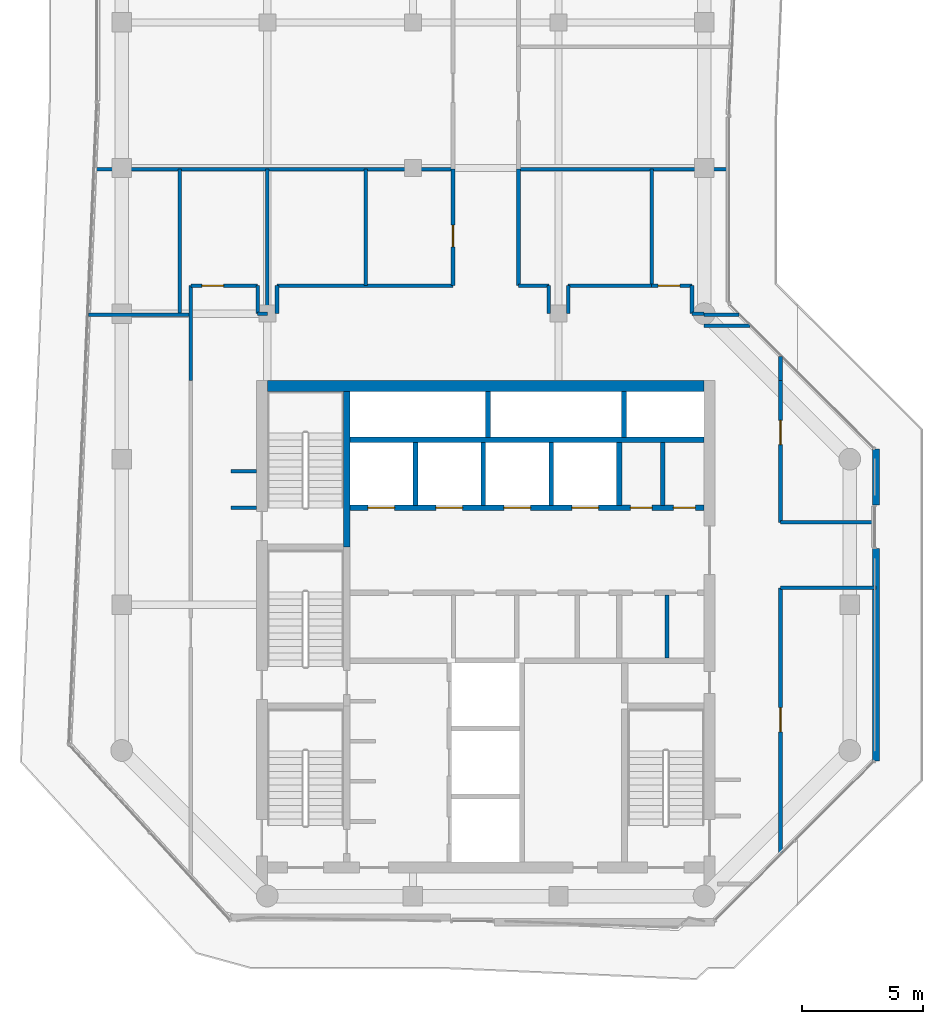
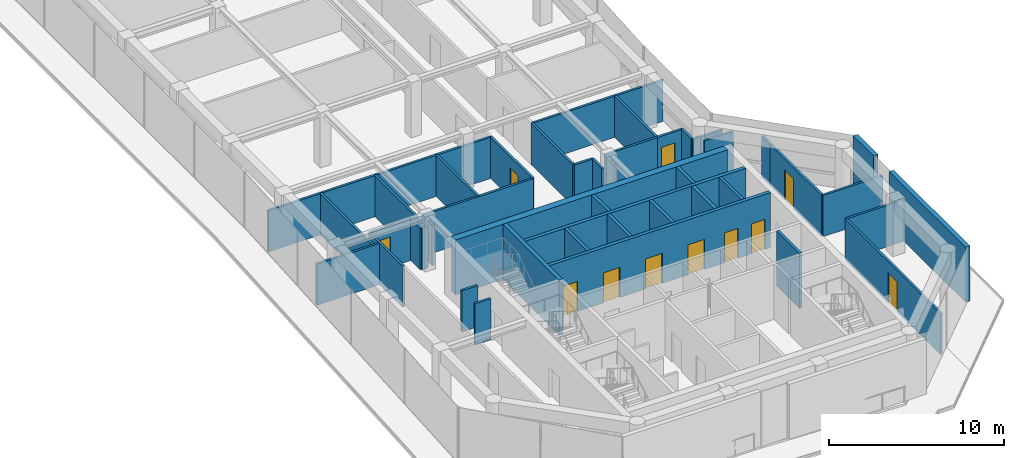
# One storey, part 17 of 20: 45 walls, 11 doors, 11 openings.
"""IFC4 building model written with IfcOpenShell, lengths in metres."""

from ifc_helpers import new_model, si_unit, direction, frame, frame_2d, origin, place, context, subcontext, project, spatial, rectangle, extrude, material, layer, layer_set, type_object, element, fill, save


model = new_model("IFC4")

# Units and contexts
model_context = context("Model", 3, precision=1e-05, world=origin(), true_north=direction((0.0, 1.0)))
body_context = subcontext(model_context, "Body", "Model", "MODEL_VIEW")
ifc_project = project(units=[si_unit("LENGTHUNIT", "METRE"), si_unit("AREAUNIT", "SQUARE_METRE"), si_unit("VOLUMEUNIT", "CUBIC_METRE"), si_unit("PLANEANGLEUNIT", "RADIAN"), si_unit("MASSUNIT", "GRAM", prefix="KILO")], contexts=[model_context])

# Site, building, storey
site_placement = place(None, origin())
site = spatial("IfcSite", under=ifc_project, at=site_placement, CompositionType="ELEMENT")
building_placement = place(site_placement, origin())
building = spatial("IfcBuilding", under=site, at=building_placement, Name="Welwitschia Terrace Campus", CompositionType="ELEMENT")
storey_placement = place(building_placement, frame((0.0, 0.0, 239.0)))
storey = spatial("IfcBuildingStorey", under=building, at=storey_placement, Name="L53", CompositionType="ELEMENT", Elevation=239.0)

# Walls
ifc_material_1 = material(Name="Concrete C32/40", Category="concrete")
ifc_layer_1 = layer(ifc_material_1, 0.175048828125)
ifc_layer_set_1 = layer_set([ifc_layer_1], Name="Concrete C32/40")
wall_type_1 = type_object("IfcWallType", Name="Core partition 175 Concrete C32/40", PredefinedType="PARTITIONING", material=ifc_layer_set_1)
for number, where, z_axis, x_axis, name in (
    (1, (22.300048828125, 20.10009765625, 0.0), (0.0, 0.0, 1.0), (0.0, 1.0, 0.0), "Core partition"),
    (2, (22.469970703125, 13.800048828125, 0.0), (0.0, 0.0, 1.0), (0.0, 1.0, 0.0), "Core partition"),
):
    element("IfcWall", number, at=place(storey_placement, frame(where, z_axis=z_axis, x_axis=x_axis)), inside=storey, type_object=wall_type_1, Name=name, PredefinedType="PARTITIONING", context=body_context, shape_type="SweptSolid", body=[
        extrude(rectangle(XDim=2.599853515625, YDim=0.175048828125, at=frame_2d((1.2998046875, 0.0))), origin(), (0.0, 0.0, 1.0), 3.85009765625),
    ])

# Wall, openings, doors
ifc_material_2 = material(Name="Concrete C32/40", Category="concrete")
ifc_layer_2 = layer(ifc_material_2, 0.22509765625)
ifc_layer_set_2 = layer_set([ifc_layer_2], Name="Concrete C32/40")
wall_type_2 = type_object("IfcWallType", Name="Core partition 225 Concrete C32/40", PredefinedType="PARTITIONING", material=ifc_layer_set_2)
wall_1_placement = place(storey_placement, frame((24.0, 20.0, 0.0), z_axis=(0.0, 0.0, 1.0), x_axis=(-1.0, 0.0, 0.0)))
wall_1 = element("IfcWall", 3, at=wall_1_placement, inside=storey, type_object=wall_type_2, Name="Shaft wall", PredefinedType="PARTITIONING", context=body_context, shape_type="SweptSolid", body=[
    extrude(rectangle(XDim=14.60009765625, YDim=0.22509765625, at=frame_2d((7.300048828125, 0.0))), origin(), (0.0, 0.0, 1.0), 3.85009765625),
])
opening_1_placement = place(wall_1_placement, frame((12.75, 0.0, 0.0)))
opening_1 = element("IfcOpeningElement", 4, at=opening_1_placement, cuts=wall_1, Name="Opening LD", PredefinedType="OPENING", context=body_context, shape_type="SweptSolid", body=[
    extrude(rectangle(XDim=1.10009765625, YDim=2.10009765625, at=frame_2d((0.550048828125, 1.050048828125))), frame((0.0, 0.12255859375, 0.0), z_axis=(0.0, -1.0, 0.0), x_axis=(1.0, 0.0, 0.0)), (0.0, 0.0, 1.0), 0.2451171875),
])
opening_2_placement = place(wall_1_placement, frame((9.949951171875, 0.0, 0.0)))
opening_2 = element("IfcOpeningElement", 5, at=opening_2_placement, cuts=wall_1, Name="Opening LD", PredefinedType="OPENING", context=body_context, shape_type="SweptSolid", body=[
    extrude(rectangle(XDim=1.10009765625, YDim=2.10009765625, at=frame_2d((0.550048828125, 1.050048828125))), frame((0.0, 0.12255859375, 0.0), z_axis=(0.0, -1.0, 0.0), x_axis=(1.0, 0.0, 0.0)), (0.0, 0.0, 1.0), 0.2451171875),
])
opening_3_placement = place(wall_1_placement, frame((7.14990234375, 0.0, 0.0)))
opening_3 = element("IfcOpeningElement", 6, at=opening_3_placement, cuts=wall_1, Name="Opening LD", PredefinedType="OPENING", context=body_context, shape_type="SweptSolid", body=[
    extrude(rectangle(XDim=1.10009765625, YDim=2.10009765625, at=frame_2d((0.550048828125, 1.050048828125))), frame((0.0, 0.12255859375, 0.0), z_axis=(0.0, -1.0, 0.0), x_axis=(1.0, 0.0, 0.0)), (0.0, 0.0, 1.0), 0.2451171875),
])
opening_4_placement = place(wall_1_placement, frame((4.35009765625, 0.0, 0.0)))
opening_4 = element("IfcOpeningElement", 7, at=opening_4_placement, cuts=wall_1, Name="Opening LD", PredefinedType="OPENING", context=body_context, shape_type="SweptSolid", body=[
    extrude(rectangle(XDim=1.10009765625, YDim=2.10009765625, at=frame_2d((0.550048828125, 1.050048828125))), frame((0.0, 0.12255859375, 0.0), z_axis=(0.0, -1.0, 0.0), x_axis=(1.0, 0.0, 0.0)), (0.0, 0.0, 1.0), 0.2451171875),
])
opening_5_placement = place(wall_1_placement, frame((2.137451171875, 0.0, 0.0)))
opening_5 = element("IfcOpeningElement", 8, at=opening_5_placement, cuts=wall_1, Name="Opening DR09", PredefinedType="OPENING", context=body_context, shape_type="SweptSolid", body=[
    extrude(rectangle(XDim=0.89990234375, YDim=2.10009765625, at=frame_2d((0.449951171875, 1.050048828125))), frame((0.0, 0.12255859375, 0.0), z_axis=(0.0, -1.0, 0.0), x_axis=(1.0, 0.0, 0.0)), (0.0, 0.0, 1.0), 0.2451171875),
])
opening_6_placement = place(wall_1_placement, frame((0.362548828125, 0.0, 0.0)))
opening_6 = element("IfcOpeningElement", 9, at=opening_6_placement, cuts=wall_1, Name="Opening DR09", PredefinedType="OPENING", context=body_context, shape_type="SweptSolid", body=[
    extrude(rectangle(XDim=0.89990234375, YDim=2.10009765625, at=frame_2d((0.449951171875, 1.050048828125))), frame((0.0, 0.12255859375, 0.0), z_axis=(0.0, -1.0, 0.0), x_axis=(1.0, 0.0, 0.0)), (0.0, 0.0, 1.0), 0.2451171875),
])
ifc_material_3 = material(Name="Steel S275", Category="steel")
door_type_1 = type_object("IfcDoorType", Name="Core door DR09", OperationType="SINGLE_SWING_LEFT", PredefinedType="DOOR", material=ifc_material_3)
door_1_placement = place(opening_5_placement, origin())
door_1 = element("IfcDoor", 10, at=door_1_placement, inside=storey, type_object=door_type_1, Name="Door EH1-D", OperationType="SINGLE_SWING_LEFT", OverallHeight=2.10009765625, OverallWidth=0.89990234375, PredefinedType="DOOR", context=body_context, shape_type="SweptSolid", body=[
    extrude(rectangle(XDim=0.89990234375, YDim=2.10009765625, at=frame_2d((0.449951171875, 1.050048828125))), frame((0.0, 0.02490234375, 0.0), z_axis=(0.0, -1.0, 0.0), x_axis=(1.0, 0.0, 0.0)), (0.0, 0.0, 1.0), 0.050048828125),
])
fill(opening_5, door_1)
door_2_placement = place(opening_6_placement, origin())
door_2 = element("IfcDoor", 11, at=door_2_placement, inside=storey, type_object=door_type_1, Name="Door EH2-D", OperationType="SINGLE_SWING_LEFT", OverallHeight=2.10009765625, OverallWidth=0.89990234375, PredefinedType="DOOR", context=body_context, shape_type="SweptSolid", body=[
    extrude(rectangle(XDim=0.89990234375, YDim=2.10009765625, at=frame_2d((0.449951171875, 1.050048828125))), frame((0.0, 0.02490234375, 0.0), z_axis=(0.0, -1.0, 0.0), x_axis=(1.0, 0.0, 0.0)), (0.0, 0.0, 1.0), 0.050048828125),
])
fill(opening_6, door_2)
ifc_material_4 = material(Name="Stainless steel 304", Category="steel")
door_type_2 = type_object("IfcDoorType", Name="Lift landing door", OperationType="DOUBLE_DOOR_SLIDING", PredefinedType="DOOR", material=ifc_material_4)
door_3_placement = place(opening_1_placement, origin())
door_3 = element("IfcDoor", 12, at=door_3_placement, inside=storey, type_object=door_type_2, Name="Landing door HR1", OperationType="DOUBLE_DOOR_SLIDING", OverallHeight=2.10009765625, OverallWidth=1.10009765625, PredefinedType="DOOR", context=body_context, shape_type="SweptSolid", body=[
    extrude(rectangle(XDim=1.10009765625, YDim=2.10009765625, at=frame_2d((0.550048828125, 1.050048828125))), frame((0.0, 0.02490234375, 0.0), z_axis=(0.0, -1.0, 0.0), x_axis=(1.0, 0.0, 0.0)), (0.0, 0.0, 1.0), 0.050048828125),
])
fill(opening_1, door_3)
door_4_placement = place(opening_2_placement, origin())
door_4 = element("IfcDoor", 13, at=door_4_placement, inside=storey, type_object=door_type_2, Name="Landing door HR2", OperationType="DOUBLE_DOOR_SLIDING", OverallHeight=2.10009765625, OverallWidth=1.10009765625, PredefinedType="DOOR", context=body_context, shape_type="SweptSolid", body=[
    extrude(rectangle(XDim=1.10009765625, YDim=2.10009765625, at=frame_2d((0.550048828125, 1.050048828125))), frame((0.0, 0.02490234375, 0.0), z_axis=(0.0, -1.0, 0.0), x_axis=(1.0, 0.0, 0.0)), (0.0, 0.0, 1.0), 0.050048828125),
])
fill(opening_2, door_4)
door_5_placement = place(opening_3_placement, origin())
door_5 = element("IfcDoor", 14, at=door_5_placement, inside=storey, type_object=door_type_2, Name="Landing door HR3", OperationType="DOUBLE_DOOR_SLIDING", OverallHeight=2.10009765625, OverallWidth=1.10009765625, PredefinedType="DOOR", context=body_context, shape_type="SweptSolid", body=[
    extrude(rectangle(XDim=1.10009765625, YDim=2.10009765625, at=frame_2d((0.550048828125, 1.050048828125))), frame((0.0, 0.02490234375, 0.0), z_axis=(0.0, -1.0, 0.0), x_axis=(1.0, 0.0, 0.0)), (0.0, 0.0, 1.0), 0.050048828125),
])
fill(opening_3, door_5)
door_6_placement = place(opening_4_placement, origin())
door_6 = element("IfcDoor", 15, at=door_6_placement, inside=storey, type_object=door_type_2, Name="Landing door HR4", OperationType="DOUBLE_DOOR_SLIDING", OverallHeight=2.10009765625, OverallWidth=1.10009765625, PredefinedType="DOOR", context=body_context, shape_type="SweptSolid", body=[
    extrude(rectangle(XDim=1.10009765625, YDim=2.10009765625, at=frame_2d((0.550048828125, 1.050048828125))), frame((0.0, 0.02490234375, 0.0), z_axis=(0.0, -1.0, 0.0), x_axis=(1.0, 0.0, 0.0)), (0.0, 0.0, 1.0), 0.050048828125),
])
fill(opening_4, door_6)

# Walls
wall_2_placement = place(storey_placement, frame((9.39990234375, 22.800048828125, 0.0), z_axis=(0.0, 0.0, 1.0), x_axis=(1.0, 0.0, 0.0)))
element("IfcWall", 16, at=wall_2_placement, inside=storey, type_object=wall_type_2, Name="Shaft wall", PredefinedType="PARTITIONING", context=body_context, shape_type="SweptSolid", body=[
    extrude(rectangle(XDim=14.60009765625, YDim=0.22509765625, at=frame_2d((7.300048828125, 0.0))), origin(), (0.0, 0.0, 1.0), 3.85009765625),
])
wall_3_placement = place(storey_placement, frame((20.5, 20.10009765625, 0.0), z_axis=(0.0, 0.0, 1.0), x_axis=(0.0, 1.0, 0.0)))
element("IfcWall", 17, at=wall_3_placement, inside=storey, type_object=wall_type_2, Name="Shaft wall", PredefinedType="PARTITIONING", context=body_context, shape_type="SweptSolid", body=[
    extrude(rectangle(XDim=2.599853515625, YDim=0.22509765625, at=frame_2d((1.2998046875, 0.0))), origin(), (0.0, 0.0, 1.0), 3.85009765625),
])
ifc_material_5 = material(Name="Concrete C50/60", Category="concrete")
ifc_layer_3 = layer(ifc_material_5, 0.199951171875)
ifc_layer_set_3 = layer_set([ifc_layer_3], Name="Concrete C50/60")
wall_type_3 = type_object("IfcWallType", Name="Core wall 200 Concrete C50/60", PredefinedType="SHEAR", material=ifc_layer_set_3)
for number, where, z_axis, x_axis, name in (
    (18, (15.10009765625, 22.89990234375, 0.0), (0.0, 0.0, 1.0), (0.0, 1.0, 0.0), "Core wall"),
    (19, (20.699951171875, 22.89990234375, 0.0), (0.0, 0.0, 1.0), (0.0, 1.0, 0.0), "Core wall"),
):
    element("IfcWall", number, at=place(storey_placement, frame(where, z_axis=z_axis, x_axis=x_axis)), inside=storey, type_object=wall_type_3, Name=name, PredefinedType="SHEAR", context=body_context, shape_type="SweptSolid", body=[
        extrude(rectangle(XDim=1.900146484375, YDim=0.199951171875, at=frame_2d((0.9501953125, 0.0))), origin(), (0.0, 0.0, 1.0), 3.85009765625),
    ])
ifc_material_6 = material(Name="Concrete C50/60", Category="concrete")
ifc_layer_4 = layer(ifc_material_6, 0.25)
ifc_layer_set_4 = layer_set([ifc_layer_4], Name="Concrete C50/60")
wall_type_4 = type_object("IfcWallType", Name="Core wall 250 Concrete C50/60", PredefinedType="SHEAR", material=ifc_layer_set_4)
wall_4_placement = place(storey_placement, frame((9.27490234375, 18.375, 0.0), z_axis=(0.0, 0.0, 1.0), x_axis=(0.0, 1.0, 0.0)))
element("IfcWall", 20, at=wall_4_placement, inside=storey, type_object=wall_type_4, Name="Core wall", PredefinedType="SHEAR", context=body_context, shape_type="SweptSolid", body=[
    extrude(rectangle(XDim=6.425048828125, YDim=0.25, at=frame_2d((3.21240234375, 0.0))), origin(), (0.0, 0.0, 1.0), 3.85009765625),
])
ifc_material_7 = material(Name="Concrete C60/75", Category="concrete")
ifc_layer_5 = layer(ifc_material_7, 0.449951171875)
ifc_layer_set_5 = layer_set([ifc_layer_5], Name="Concrete C60/75")
wall_type_5 = type_object("IfcWallType", Name="Core wall 450 Concrete C60/75", PredefinedType="SHEAR", material=ifc_layer_set_5)
wall_5_placement = place(storey_placement, frame((6.0, 25.02490234375, 0.0), z_axis=(0.0, 0.0, 1.0), x_axis=(1.0, 0.0, 0.0)))
element("IfcWall", 21, at=wall_5_placement, inside=storey, type_object=wall_type_5, Name="Core outer wall", PredefinedType="SHEAR", context=body_context, shape_type="SweptSolid", body=[
    extrude(rectangle(XDim=18.0, YDim=0.449951171875, at=frame_2d((9.0, 0.0))), origin(), (0.0, 0.0, 1.0), 3.85009765625),
])
ifc_material_8 = material(Name="Gypsum board on steel studs", Category="steel")
ifc_layer_6 = layer(ifc_material_8, 0.14990234375)
ifc_layer_set_6 = layer_set([ifc_layer_6], Name="Gypsum board on steel studs")
wall_type_6 = type_object("IfcWallType", Name="Corridor partition 150 EI 30", PredefinedType="PARTITIONING", material=ifc_layer_set_6)
wall_6_placement = place(storey_placement, frame((-1.360107421875, 27.949951171875, 0.0), z_axis=(0.0, 0.0, 1.0), x_axis=(1.0, 0.0, 0.0)))
element("IfcWall", 22, at=wall_6_placement, inside=storey, type_object=wall_type_6, Name="Partition", PredefinedType="PARTITIONING", context=body_context, shape_type="SweptSolid", body=[
    extrude(rectangle(XDim=4.210205078125, YDim=0.14990234375, at=frame_2d((2.10498046875, 0.0))), origin(), (0.0, 0.0, 1.0), 2.8798828125),
])
wall_7_placement = place(storey_placement, frame((-1.10009765625, 33.949951171875, 0.0), z_axis=(0.0, 0.0, 1.0), x_axis=(1.0, 0.0, 0.0)))
element("IfcWall", 23, at=wall_7_placement, inside=storey, type_object=wall_type_6, Name="Partition", PredefinedType="PARTITIONING", context=body_context, shape_type="SweptSolid", body=[
    extrude(rectangle(XDim=14.75, YDim=0.14990234375, at=frame_2d((7.375, 0.0))), origin(), (0.0, 0.0, 1.0), 2.8798828125),
])
wall_8_placement = place(storey_placement, frame((2.39990234375, 27.949951171875, 0.0), z_axis=(0.0, 0.0, 1.0), x_axis=(0.0, 1.0, 0.0)))
element("IfcWall", 24, at=wall_8_placement, inside=storey, type_object=wall_type_6, Name="Partition", PredefinedType="PARTITIONING", context=body_context, shape_type="SweptSolid", body=[
    extrude(rectangle(XDim=6.0, YDim=0.14990234375, at=frame_2d((3.0, 0.0))), origin(), (0.0, 0.0, 1.0), 2.8798828125),
])
wall_9_placement = place(storey_placement, frame((2.85009765625, 25.25, 0.0), z_axis=(0.0, 0.0, 1.0), x_axis=(0.0, 1.0, 0.0)))
element("IfcWall", 25, at=wall_9_placement, inside=storey, type_object=wall_type_6, Name="Partition", PredefinedType="PARTITIONING", context=body_context, shape_type="SweptSolid", body=[
    extrude(rectangle(XDim=3.89990234375, YDim=0.14990234375, at=frame_2d((1.949951171875, 0.0))), origin(), (0.0, 0.0, 1.0), 2.8798828125),
])

# Wall, opening, door
wall_10_placement = place(storey_placement, frame((2.85009765625, 29.14990234375, 0.0), z_axis=(0.0, 0.0, 1.0), x_axis=(1.0, 0.0, 0.0)))
wall_10 = element("IfcWall", 26, at=wall_10_placement, inside=storey, type_object=wall_type_6, Name="Partition", PredefinedType="PARTITIONING", context=body_context, shape_type="SweptSolid", body=[
    extrude(rectangle(XDim=2.75, YDim=0.14990234375, at=frame_2d((1.375, 0.0))), origin(), (0.0, 0.0, 1.0), 2.8798828125),
])
opening_7_placement = place(wall_10_placement, frame((0.449951171875, 0.0, 0.0)))
opening_7 = element("IfcOpeningElement", 27, at=opening_7_placement, cuts=wall_10, Name="Opening DI09", PredefinedType="OPENING", context=body_context, shape_type="SweptSolid", body=[
    extrude(rectangle(XDim=0.89990234375, YDim=2.10009765625, at=frame_2d((0.449951171875, 1.050048828125))), frame((0.0, 0.0849609375, 0.0), z_axis=(0.0, -1.0, 0.0), x_axis=(1.0, 0.0, 0.0)), (0.0, 0.0, 1.0), 0.169921875),
])
ifc_material_9 = material(Name="Timber veneered door", Category="wood")
door_type_3 = type_object("IfcDoorType", Name="Interior door DI09", OperationType="NOTDEFINED", PredefinedType="DOOR", material=ifc_material_9)
door_7_placement = place(opening_7_placement, origin())
door_7 = element("IfcDoor", 28, at=door_7_placement, inside=storey, type_object=door_type_3, Name="Door L53 975", OperationType="SINGLE_SWING_RIGHT", OverallHeight=2.10009765625, OverallWidth=0.89990234375, PredefinedType="DOOR", context=body_context, shape_type="SweptSolid", body=[
    extrude(rectangle(XDim=0.89990234375, YDim=2.10009765625, at=frame_2d((0.449951171875, 1.050048828125))), frame((0.0, 0.02490234375, 0.0), z_axis=(0.0, -1.0, 0.0), x_axis=(1.0, 0.0, 0.0)), (0.0, 0.0, 1.0), 0.050048828125),
])
fill(opening_7, door_7)

# Walls
for number, where, z_axis, x_axis, name in (
    (29, (4.5, 20.0, 0.0), (0.0, 0.0, 1.0), (1.0, 0.0, 0.0), "Partition"),
    (30, (4.5, 21.5, 0.0), (0.0, 0.0, 1.0), (1.0, 0.0, 0.0), "Partition"),
):
    element("IfcWall", number, at=place(storey_placement, frame(where, z_axis=z_axis, x_axis=x_axis)), inside=storey, type_object=wall_type_6, Name=name, PredefinedType="PARTITIONING", context=body_context, shape_type="SweptSolid", body=[
        extrude(rectangle(XDim=1.050048828125, YDim=0.14990234375, at=frame_2d((0.52490234375, 0.0))), origin(), (0.0, 0.0, 1.0), 2.8798828125),
    ])
wall_11_placement = place(storey_placement, frame((5.60009765625, 28.0, 0.0), z_axis=(0.0, 0.0, 1.0), x_axis=(0.0, 1.0, 0.0)))
element("IfcWall", 31, at=wall_11_placement, inside=storey, type_object=wall_type_6, Name="Partition", PredefinedType="PARTITIONING", context=body_context, shape_type="SweptSolid", body=[
    extrude(rectangle(XDim=1.14990234375, YDim=0.14990234375, at=frame_2d((0.574951171875, 0.0))), origin(), (0.0, 0.0, 1.0), 2.8798828125),
])
wall_12_placement = place(storey_placement, frame((5.60009765625, 28.0, 0.0), z_axis=(0.0, 0.0, 1.0), x_axis=(1.0, 0.0, 0.0)))
element("IfcWall", 32, at=wall_12_placement, inside=storey, type_object=wall_type_6, Name="Partition", PredefinedType="PARTITIONING", context=body_context, shape_type="SweptSolid", body=[
    extrude(rectangle(XDim=0.39990234375, YDim=0.14990234375, at=frame_2d((0.199951171875, 0.0))), origin(), (0.0, 0.0, 1.0), 2.8798828125),
])
wall_13_placement = place(storey_placement, frame((6.0, 28.0, 0.0), z_axis=(0.0, 0.0, 1.0), x_axis=(0.0, 1.0, 0.0)))
element("IfcWall", 33, at=wall_13_placement, inside=storey, type_object=wall_type_6, Name="Partition", PredefinedType="PARTITIONING", context=body_context, shape_type="SweptSolid", body=[
    extrude(rectangle(XDim=5.949951171875, YDim=0.14990234375, at=frame_2d((2.97509765625, 0.0))), origin(), (0.0, 0.0, 1.0), 2.8798828125),
])
wall_14_placement = place(storey_placement, frame((6.39990234375, 28.0, 0.0), z_axis=(0.0, 0.0, 1.0), x_axis=(0.0, 1.0, 0.0)))
element("IfcWall", 34, at=wall_14_placement, inside=storey, type_object=wall_type_6, Name="Partition", PredefinedType="PARTITIONING", context=body_context, shape_type="SweptSolid", body=[
    extrude(rectangle(XDim=1.14990234375, YDim=0.14990234375, at=frame_2d((0.574951171875, 0.0))), origin(), (0.0, 0.0, 1.0), 2.8798828125),
])
wall_15_placement = place(storey_placement, frame((6.39990234375, 29.14990234375, 0.0), z_axis=(0.0, 0.0, 1.0), x_axis=(1.0, 0.0, 0.0)))
element("IfcWall", 35, at=wall_15_placement, inside=storey, type_object=wall_type_6, Name="Partition", PredefinedType="PARTITIONING", context=body_context, shape_type="SweptSolid", body=[
    extrude(rectangle(XDim=7.25, YDim=0.14990234375, at=frame_2d((3.625, 0.0))), origin(), (0.0, 0.0, 1.0), 2.8798828125),
])
wall_16_placement = place(storey_placement, frame((10.050048828125, 29.14990234375, 0.0), z_axis=(0.0, 0.0, 1.0), x_axis=(0.0, 1.0, 0.0)))
element("IfcWall", 36, at=wall_16_placement, inside=storey, type_object=wall_type_6, Name="Partition", PredefinedType="PARTITIONING", context=body_context, shape_type="SweptSolid", body=[
    extrude(rectangle(XDim=4.800048828125, YDim=0.14990234375, at=frame_2d((2.39990234375, 0.0))), origin(), (0.0, 0.0, 1.0), 2.8798828125),
])

# Wall, opening, door
wall_17_placement = place(storey_placement, frame((13.64990234375, 29.14990234375, 0.0), z_axis=(0.0, 0.0, 1.0), x_axis=(0.0, 1.0, 0.0)))
wall_17 = element("IfcWall", 37, at=wall_17_placement, inside=storey, type_object=wall_type_6, Name="Partition", PredefinedType="PARTITIONING", context=body_context, shape_type="SweptSolid", body=[
    extrude(rectangle(XDim=4.800048828125, YDim=0.14990234375, at=frame_2d((2.39990234375, 0.0))), origin(), (0.0, 0.0, 1.0), 2.8798828125),
])
opening_8_placement = place(wall_17_placement, frame((1.60009765625, 0.0, 0.0)))
opening_8 = element("IfcOpeningElement", 38, at=opening_8_placement, cuts=wall_17, Name="Opening DI09", PredefinedType="OPENING", context=body_context, shape_type="SweptSolid", body=[
    extrude(rectangle(XDim=0.89990234375, YDim=2.10009765625, at=frame_2d((0.449951171875, 1.050048828125))), frame((0.0, 0.0849609375, 0.0), z_axis=(0.0, -1.0, 0.0), x_axis=(1.0, 0.0, 0.0)), (0.0, 0.0, 1.0), 0.169921875),
])
door_8_placement = place(opening_8_placement, origin())
door_8 = element("IfcDoor", 39, at=door_8_placement, inside=storey, type_object=door_type_3, Name="Door L53 976", OperationType="SINGLE_SWING_LEFT", OverallHeight=2.10009765625, OverallWidth=0.89990234375, PredefinedType="DOOR", context=body_context, shape_type="SweptSolid", body=[
    extrude(rectangle(XDim=0.89990234375, YDim=2.10009765625, at=frame_2d((0.449951171875, 1.050048828125))), frame((0.0, 0.02490234375, 0.0), z_axis=(0.0, -1.0, 0.0), x_axis=(1.0, 0.0, 0.0)), (0.0, 0.0, 1.0), 0.050048828125),
])
fill(opening_8, door_8)

# Walls
wall_18_placement = place(storey_placement, frame((16.35009765625, 29.14990234375, 0.0), z_axis=(0.0, 0.0, 1.0), x_axis=(0.0, 1.0, 0.0)))
element("IfcWall", 40, at=wall_18_placement, inside=storey, type_object=wall_type_6, Name="Partition", PredefinedType="PARTITIONING", context=body_context, shape_type="SweptSolid", body=[
    extrude(rectangle(XDim=4.800048828125, YDim=0.14990234375, at=frame_2d((2.39990234375, 0.0))), origin(), (0.0, 0.0, 1.0), 2.8798828125),
])
wall_19_placement = place(storey_placement, frame((16.35009765625, 29.14990234375, 0.0), z_axis=(0.0, 0.0, 1.0), x_axis=(1.0, 0.0, 0.0)))
element("IfcWall", 41, at=wall_19_placement, inside=storey, type_object=wall_type_6, Name="Partition", PredefinedType="PARTITIONING", context=body_context, shape_type="SweptSolid", body=[
    extrude(rectangle(XDim=1.25, YDim=0.14990234375, at=frame_2d((0.625, 0.0))), origin(), (0.0, 0.0, 1.0), 2.8798828125),
])
wall_20_placement = place(storey_placement, frame((16.35009765625, 33.949951171875, 0.0), z_axis=(0.0, 0.0, 1.0), x_axis=(1.0, 0.0, 0.0)))
element("IfcWall", 42, at=wall_20_placement, inside=storey, type_object=wall_type_6, Name="Partition", PredefinedType="PARTITIONING", context=body_context, shape_type="SweptSolid", body=[
    extrude(rectangle(XDim=8.6298828125, YDim=0.14990234375, at=frame_2d((4.31494140625, 0.0))), origin(), (0.0, 0.0, 1.0), 2.8798828125),
])
for number, where, z_axis, x_axis, name in (
    (43, (17.60009765625, 28.0, 0.0), (0.0, 0.0, 1.0), (0.0, 1.0, 0.0), "Partition"),
    (44, (18.39990234375, 28.0, 0.0), (0.0, 0.0, 1.0), (0.0, 1.0, 0.0), "Partition"),
):
    element("IfcWall", number, at=place(storey_placement, frame(where, z_axis=z_axis, x_axis=x_axis)), inside=storey, type_object=wall_type_6, Name=name, PredefinedType="PARTITIONING", context=body_context, shape_type="SweptSolid", body=[
        extrude(rectangle(XDim=1.14990234375, YDim=0.14990234375, at=frame_2d((0.574951171875, 0.0))), origin(), (0.0, 0.0, 1.0), 2.8798828125),
    ])
wall_21_placement = place(storey_placement, frame((18.39990234375, 29.14990234375, 0.0), z_axis=(0.0, 0.0, 1.0), x_axis=(1.0, 0.0, 0.0)))
element("IfcWall", 45, at=wall_21_placement, inside=storey, type_object=wall_type_6, Name="Partition", PredefinedType="PARTITIONING", context=body_context, shape_type="SweptSolid", body=[
    extrude(rectangle(XDim=3.440185546875, YDim=0.14990234375, at=frame_2d((1.72021484375, 0.0))), origin(), (0.0, 0.0, 1.0), 2.8798828125),
])
wall_22_placement = place(storey_placement, frame((21.840087890625, 29.14990234375, 0.0), z_axis=(0.0, 0.0, 1.0), x_axis=(0.0, 1.0, 0.0)))
element("IfcWall", 46, at=wall_22_placement, inside=storey, type_object=wall_type_6, Name="Partition", PredefinedType="PARTITIONING", context=body_context, shape_type="SweptSolid", body=[
    extrude(rectangle(XDim=4.800048828125, YDim=0.14990234375, at=frame_2d((2.39990234375, 0.0))), origin(), (0.0, 0.0, 1.0), 2.8798828125),
])

# Wall, opening, door
wall_23_placement = place(storey_placement, frame((21.840087890625, 29.14990234375, 0.0), z_axis=(0.0, 0.0, 1.0), x_axis=(1.0, 0.0, 0.0)))
wall_23 = element("IfcWall", 47, at=wall_23_placement, inside=storey, type_object=wall_type_6, Name="Partition", PredefinedType="PARTITIONING", context=body_context, shape_type="SweptSolid", body=[
    extrude(rectangle(XDim=1.659912109375, YDim=0.14990234375, at=frame_2d((0.830078125, 0.0))), origin(), (0.0, 0.0, 1.0), 2.8798828125),
])
opening_9_placement = place(wall_23_placement, frame((0.260009765625, 0.0, 0.0)))
opening_9 = element("IfcOpeningElement", 48, at=opening_9_placement, cuts=wall_23, Name="Opening DI09", PredefinedType="OPENING", context=body_context, shape_type="SweptSolid", body=[
    extrude(rectangle(XDim=0.89990234375, YDim=2.10009765625, at=frame_2d((0.449951171875, 1.050048828125))), frame((0.0, 0.0849609375, 0.0), z_axis=(0.0, -1.0, 0.0), x_axis=(1.0, 0.0, 0.0)), (0.0, 0.0, 1.0), 0.169921875),
])
door_9_placement = place(opening_9_placement, origin())
door_9 = element("IfcDoor", 49, at=door_9_placement, inside=storey, type_object=door_type_3, Name="Door L53 984", OperationType="SINGLE_SWING_LEFT", OverallHeight=2.10009765625, OverallWidth=0.89990234375, PredefinedType="DOOR", context=body_context, shape_type="SweptSolid", body=[
    extrude(rectangle(XDim=0.89990234375, YDim=2.10009765625, at=frame_2d((0.449951171875, 1.050048828125))), frame((0.0, 0.02490234375, 0.0), z_axis=(0.0, -1.0, 0.0), x_axis=(1.0, 0.0, 0.0)), (0.0, 0.0, 1.0), 0.050048828125),
])
fill(opening_9, door_9)

# Walls
wall_24_placement = place(storey_placement, frame((23.5, 28.0, 0.0), z_axis=(0.0, 0.0, 1.0), x_axis=(0.0, 1.0, 0.0)))
element("IfcWall", 50, at=wall_24_placement, inside=storey, type_object=wall_type_6, Name="Partition", PredefinedType="PARTITIONING", context=body_context, shape_type="SweptSolid", body=[
    extrude(rectangle(XDim=1.14990234375, YDim=0.14990234375, at=frame_2d((0.574951171875, 0.0))), origin(), (0.0, 0.0, 1.0), 2.8798828125),
])
wall_25_placement = place(storey_placement, frame((23.5, 28.0, 0.0), z_axis=(0.0, 0.0, 1.0), x_axis=(1.0, 0.0, 0.0)))
element("IfcWall", 51, at=wall_25_placement, inside=storey, type_object=wall_type_6, Name="Partition", PredefinedType="PARTITIONING", context=body_context, shape_type="SweptSolid", body=[
    extrude(rectangle(XDim=0.5, YDim=0.14990234375, at=frame_2d((0.25, 0.0))), origin(), (0.0, 0.0, 1.0), 2.8798828125),
])
wall_26_placement = place(storey_placement, frame((24.0, 27.5, 0.0), z_axis=(0.0, 0.0, 1.0), x_axis=(1.0, 0.0, 0.0)))
element("IfcWall", 52, at=wall_26_placement, inside=storey, type_object=wall_type_6, Name="Partition", PredefinedType="PARTITIONING", context=body_context, shape_type="SweptSolid", body=[
    extrude(rectangle(XDim=1.889892578125, YDim=0.14990234375, at=frame_2d((0.94482421875, 0.0))), origin(), (0.0, 0.0, 1.0), 2.8798828125),
])
wall_27_placement = place(storey_placement, frame((24.0, 27.949951171875, 0.0), z_axis=(0.0, 0.0, 1.0), x_axis=(1.0, 0.0, 0.0)))
element("IfcWall", 53, at=wall_27_placement, inside=storey, type_object=wall_type_6, Name="Partition", PredefinedType="PARTITIONING", context=body_context, shape_type="SweptSolid", body=[
    extrude(rectangle(XDim=1.43994140625, YDim=0.14990234375, at=frame_2d((0.719970703125, 0.0))), origin(), (0.0, 0.0, 1.0), 2.8798828125),
])

# Wall, opening, door
wall_28_placement = place(storey_placement, frame((27.14990234375, 16.699951171875, 0.0), z_axis=(0.0, 0.0, 1.0), x_axis=(0.0, -1.0, 0.0)))
wall_28 = element("IfcWall", 54, at=wall_28_placement, inside=storey, type_object=wall_type_6, Name="Partition", PredefinedType="PARTITIONING", context=body_context, shape_type="SweptSolid", body=[
    extrude(rectangle(XDim=10.929931640625, YDim=0.14990234375, at=frame_2d((5.46484375, 0.0))), origin(), (0.0, 0.0, 1.0), 2.8798828125),
])
opening_10_placement = place(wall_28_placement, frame((4.929931640625, 0.0, 0.0)))
opening_10 = element("IfcOpeningElement", 55, at=opening_10_placement, cuts=wall_28, Name="Opening DI10", PredefinedType="OPENING", context=body_context, shape_type="SweptSolid", body=[
    extrude(rectangle(XDim=1.0, YDim=2.10009765625, at=frame_2d((0.5, 1.050048828125))), frame((0.0, 0.0849609375, 0.0), z_axis=(0.0, -1.0, 0.0), x_axis=(1.0, 0.0, 0.0)), (0.0, 0.0, 1.0), 0.169921875),
])
ifc_material_10 = material(Name="Timber veneered door", Category="wood")
door_type_4 = type_object("IfcDoorType", Name="Interior door DI10", OperationType="NOTDEFINED", PredefinedType="DOOR", material=ifc_material_10)
door_10_placement = place(opening_10_placement, origin())
door_10 = element("IfcDoor", 56, at=door_10_placement, inside=storey, type_object=door_type_4, Name="Door L53 985", OperationType="SINGLE_SWING_RIGHT", OverallHeight=2.10009765625, OverallWidth=1.0, PredefinedType="DOOR", context=body_context, shape_type="SweptSolid", body=[
    extrude(rectangle(XDim=1.0, YDim=2.10009765625, at=frame_2d((0.5, 1.050048828125))), frame((0.0, 0.02490234375, 0.0), z_axis=(0.0, -1.0, 0.0), x_axis=(1.0, 0.0, 0.0)), (0.0, 0.0, 1.0), 0.050048828125),
])
fill(opening_10, door_10)

# Walls
for number, where, z_axis, x_axis, name in (
    (57, (27.14990234375, 16.699951171875, 0.0), (0.0, 0.0, 1.0), (1.0, 0.0, 0.0), "Partition"),
    (58, (27.14990234375, 19.39990234375, 0.0), (0.0, 0.0, 1.0), (1.0, 0.0, 0.0), "Partition"),
):
    element("IfcWall", number, at=place(storey_placement, frame(where, z_axis=z_axis, x_axis=x_axis)), inside=storey, type_object=wall_type_6, Name=name, PredefinedType="PARTITIONING", context=body_context, shape_type="SweptSolid", body=[
        extrude(rectangle(XDim=3.940185546875, YDim=0.14990234375, at=frame_2d((1.97021484375, 0.0))), origin(), (0.0, 0.0, 1.0), 2.8798828125),
    ])

# Wall, opening, door
wall_29_placement = place(storey_placement, frame((27.14990234375, 25.25, 0.0), z_axis=(0.0, 0.0, 1.0), x_axis=(0.0, -1.0, 0.0)))
wall_29 = element("IfcWall", 59, at=wall_29_placement, inside=storey, type_object=wall_type_6, Name="Partition", PredefinedType="PARTITIONING", context=body_context, shape_type="SweptSolid", body=[
    extrude(rectangle(XDim=5.85009765625, YDim=0.14990234375, at=frame_2d((2.925048828125, 0.0))), origin(), (0.0, 0.0, 1.0), 2.8798828125),
])
opening_11_placement = place(wall_29_placement, frame((1.64990234375, 0.0, 0.0)))
opening_11 = element("IfcOpeningElement", 60, at=opening_11_placement, cuts=wall_29, Name="Opening DI10", PredefinedType="OPENING", context=body_context, shape_type="SweptSolid", body=[
    extrude(rectangle(XDim=1.0, YDim=2.10009765625, at=frame_2d((0.5, 1.050048828125))), frame((0.0, 0.0849609375, 0.0), z_axis=(0.0, -1.0, 0.0), x_axis=(1.0, 0.0, 0.0)), (0.0, 0.0, 1.0), 0.169921875),
])
door_11_placement = place(opening_11_placement, origin())
door_11 = element("IfcDoor", 61, at=door_11_placement, inside=storey, type_object=door_type_4, Name="Door L53 986", OperationType="SINGLE_SWING_LEFT", OverallHeight=2.10009765625, OverallWidth=1.0, PredefinedType="DOOR", context=body_context, shape_type="SweptSolid", body=[
    extrude(rectangle(XDim=1.0, YDim=2.10009765625, at=frame_2d((0.5, 1.050048828125))), frame((0.0, 0.02490234375, 0.0), z_axis=(0.0, -1.0, 0.0), x_axis=(1.0, 0.0, 0.0)), (0.0, 0.0, 1.0), 0.050048828125),
])
fill(opening_11, door_11)

# Walls
wall_30_placement = place(storey_placement, frame((27.14990234375, 25.25, 0.0), z_axis=(0.0, 0.0, 1.0), x_axis=(0.0, 1.0, 0.0)))
element("IfcWall", 62, at=wall_30_placement, inside=storey, type_object=wall_type_6, Name="Partition", PredefinedType="PARTITIONING", context=body_context, shape_type="SweptSolid", body=[
    extrude(rectangle(XDim=0.97998046875, YDim=0.14990234375, at=frame_2d((0.489990234375, 0.0))), origin(), (0.0, 0.0, 1.0), 2.8798828125),
])
ifc_material_11 = material(Name="Concrete C40/50", Category="concrete")
ifc_layer_7 = layer(ifc_material_11, 0.300048828125)
ifc_layer_set_7 = layer_set([ifc_layer_7], Name="Concrete C40/50")
wall_type_7 = type_object("IfcWallType", Name="Mass wall 300", PredefinedType="SOLIDWALL", material=ifc_layer_set_7)
wall_31_placement = place(storey_placement, frame((31.07958984375, 9.573486328125, 0.0), z_axis=(0.0, 0.0, 1.0), x_axis=(0.0, 1.0, 0.0)))
element("IfcWall", 63, at=wall_31_placement, inside=storey, type_object=wall_type_7, Name="Mass wall L53.4.0", PredefinedType="SOLIDWALL", context=body_context, shape_type="SweptSolid", body=[
    extrude(rectangle(XDim=8.73974609375, YDim=0.300048828125, at=frame_2d((4.369873046875, 0.0))), origin(), (0.0, 0.0, 1.0), 3.85009765625),
])
wall_32_placement = place(storey_placement, frame((31.07958984375, 20.11328125, 0.0), z_axis=(0.0, 0.0, 1.0), x_axis=(0.0, 1.0, 0.0)))
element("IfcWall", 64, at=wall_32_placement, inside=storey, type_object=wall_type_7, Name="Mass wall L53.4.1", PredefinedType="SOLIDWALL", context=body_context, shape_type="SweptSolid", body=[
    extrude(rectangle(XDim=2.313232421875, YDim=0.300048828125, at=frame_2d((1.15673828125, 0.0))), origin(), (0.0, 0.0, 1.0), 3.85009765625),
])
ifc_material_12 = material(Name="Concrete C32/40", Category="concrete")
ifc_layer_8 = layer(ifc_material_12, 0.199951171875)
ifc_layer_set_8 = layer_set([ifc_layer_8], Name="Concrete C32/40")
wall_type_8 = type_object("IfcWallType", Name="Shaft wall 200 Concrete C32/40", PredefinedType="SOLIDWALL", material=ifc_layer_set_8)
for number, where, z_axis, x_axis, name in (
    (65, (12.10009765625, 20.10009765625, 0.0), (0.0, 0.0, 1.0), (0.0, 1.0, 0.0), "Shaft wall"),
    (66, (14.89990234375, 20.10009765625, 0.0), (0.0, 0.0, 1.0), (0.0, 1.0, 0.0), "Shaft wall"),
    (67, (17.699951171875, 20.10009765625, 0.0), (0.0, 0.0, 1.0), (0.0, 1.0, 0.0), "Shaft wall"),
):
    element("IfcWall", number, at=place(storey_placement, frame(where, z_axis=z_axis, x_axis=x_axis)), inside=storey, type_object=wall_type_8, Name=name, PredefinedType="SOLIDWALL", context=body_context, shape_type="SweptSolid", body=[
        extrude(rectangle(XDim=2.599853515625, YDim=0.199951171875, at=frame_2d((1.2998046875, 0.0))), origin(), (0.0, 0.0, 1.0), 3.85009765625),
    ])

save(model, "model.ifc")
